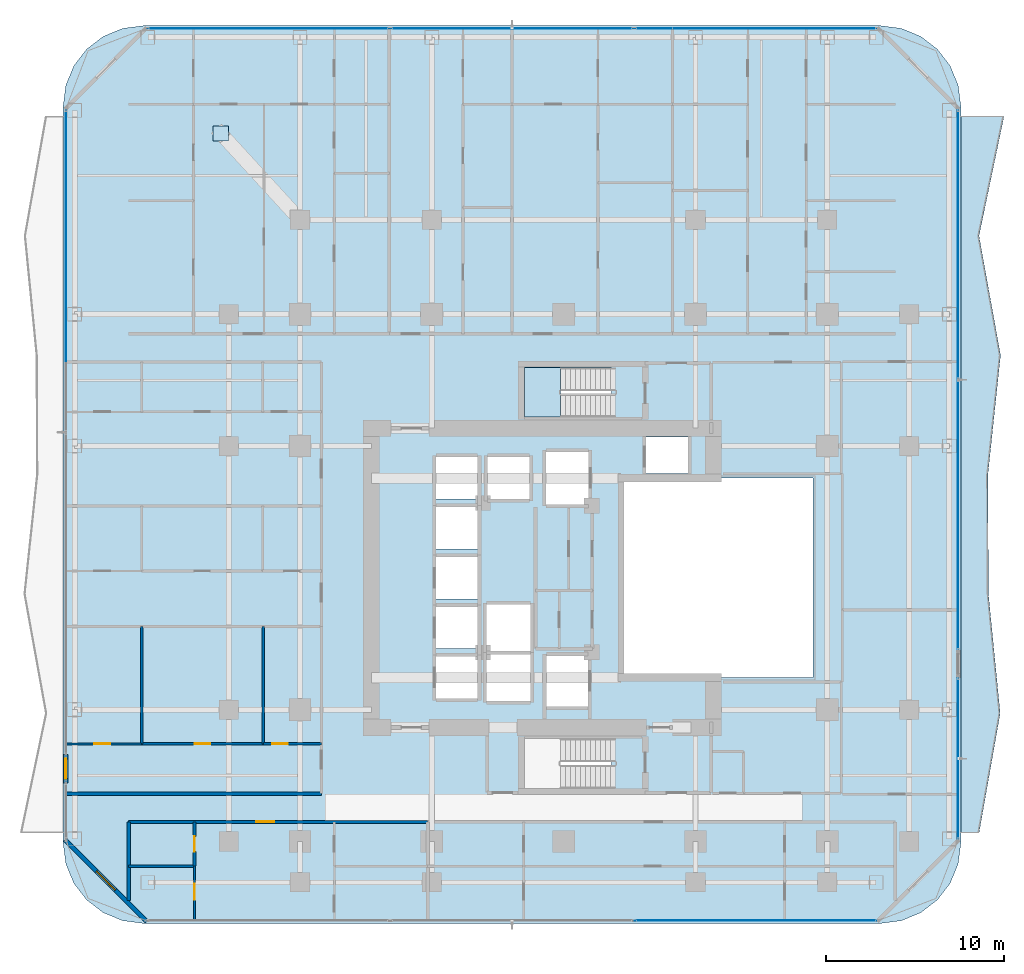
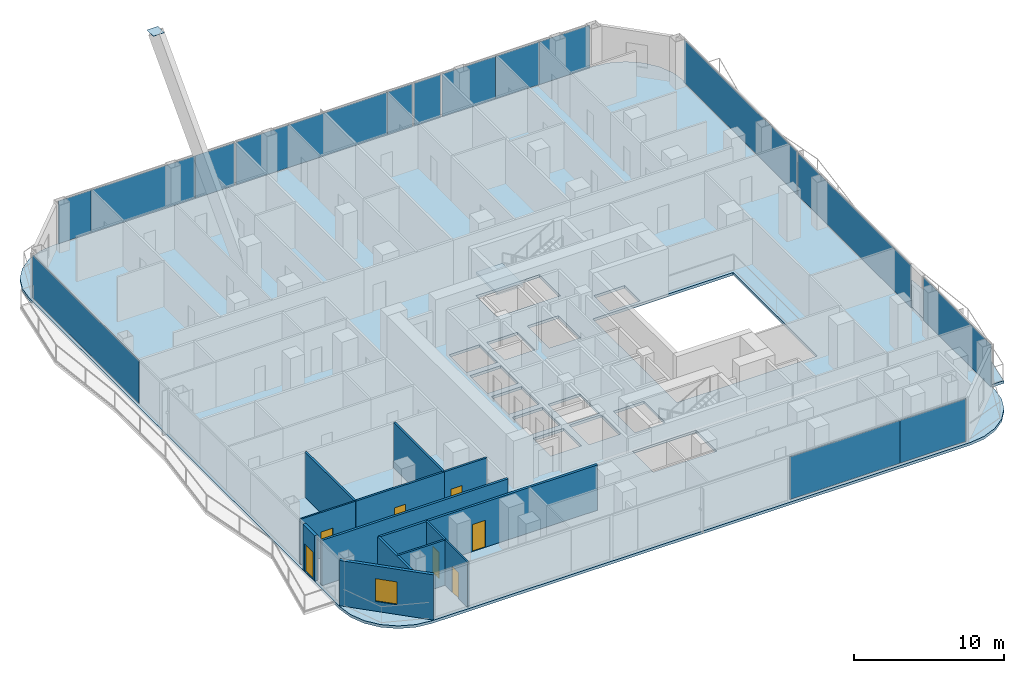
# One storey, part 18 of 28: 16 plates, 13 walls, 7 doors, 3 slabs, 1 window, 8 openings, 6 elements without a shape of their own.
"""IFC4 building model written with IfcOpenShell, lengths in metres."""

from ifc_helpers import new_model, si_unit, direction, frame, frame_2d, origin, origin_2d, place, context, subcontext, project, spatial, polyline, rectangle, outline, extrude, material, layer, layer_set, type_object, element, fill, aggregate, save


model = new_model("IFC4")

# Units and contexts
model_context = context("Model", 3, precision=1e-05, world=origin(), true_north=direction((0.0, 1.0)))
body_context = subcontext(model_context, "Body", "Model", "MODEL_VIEW")
ifc_project = project(units=[si_unit("LENGTHUNIT", "METRE"), si_unit("AREAUNIT", "SQUARE_METRE"), si_unit("VOLUMEUNIT", "CUBIC_METRE"), si_unit("PLANEANGLEUNIT", "RADIAN"), si_unit("MASSUNIT", "GRAM", prefix="KILO")], contexts=[model_context])

# Site, building, storey
site_placement = place(None, origin())
site = spatial("IfcSite", under=ifc_project, at=site_placement, CompositionType="ELEMENT")
building_placement = place(site_placement, origin())
building = spatial("IfcBuilding", under=site, at=building_placement, Name="Khorvyn Point Tower", CompositionType="ELEMENT")
storey_placement = place(building_placement, frame((0.0, 0.0, 89.10009765625)))
storey = spatial("IfcBuildingStorey", under=building, at=storey_placement, Name="L22", CompositionType="ELEMENT", Elevation=89.10009765625)

# Slabs
ifc_material_1 = material(Name="Concrete C35/45", Category="concrete")
ifc_layer_1 = layer(ifc_material_1, 0.219970703125)
ifc_layer_set_1 = layer_set([ifc_layer_1], Name="Concrete C35/45 Structural Floor Slab 220")
slab_type_1 = type_object("IfcSlabType", Name="Concrete C35/45 Structural Floor Slab 220", PredefinedType="FLOOR", material=ifc_layer_set_1)
slab_1_placement = place(storey_placement, frame((0.0, 0.0, -0.22021484375)))
element("IfcSlab", 1, at=slab_1_placement, inside=storey, type_object=slab_type_1, Name="L22 Main Structural Floor Slab", PredefinedType="FLOOR", context=body_context, shape_type="SweptSolid", body=[
    extrude(outline(polyline([(-23.60009765625, -19.39990234375), (-24.7646484375, -19.24658203125), (-25.85009765625, -18.797119140625), (-26.781982421875, -18.08203125), (-27.4970703125, -17.14990234375), (-27.94677734375, -16.064697265625), (-28.10009765625, -14.89990234375), (-28.10009765625, 26.5), (-27.94677734375, 27.664794921875), (-27.4970703125, 28.75), (-26.781982421875, 29.681884765625), (-25.85009765625, 30.397216796875), (-24.7646484375, 30.8466796875), (-23.60009765625, 31.0), (17.800048828125, 31.0), (18.964599609375, 30.8466796875), (20.050048828125, 30.397216796875), (20.98193359375, 29.681884765625), (21.697021484375, 28.75), (22.146728515625, 27.664794921875), (22.300048828125, 26.5), (22.300048828125, -14.89990234375), (22.146728515625, -16.064697265625), (21.697021484375, -17.14990234375), (20.98193359375, -18.08203125), (20.050048828125, -18.797119140625), (18.964599609375, -19.24658203125), (17.800048828125, -19.39990234375), (-23.60009765625, -19.39990234375)]), holes=[polyline([(-4.824951171875, -6.77490234375), (-4.824951171875, -4.425048828125), (-7.175048828125, -4.425048828125), (-7.175048828125, -6.77490234375), (-4.824951171875, -6.77490234375)]), polyline([(-4.324951171875, -6.89990234375), (-1.875, -6.89990234375), (-1.875, -4.300048828125), (-4.324951171875, -4.300048828125), (-4.324951171875, -6.89990234375)]), polyline([(-7.175048828125, -3.97509765625), (-4.824951171875, -3.97509765625), (-4.824951171875, -1.625), (-7.175048828125, -1.625), (-7.175048828125, -3.97509765625)]), polyline([(-7.175048828125, -1.175048828125), (-4.824951171875, -1.175048828125), (-4.824951171875, 1.175048828125), (-7.175048828125, 1.175048828125), (-7.175048828125, -1.175048828125)]), polyline([(-7.175048828125, 1.625), (-4.824951171875, 1.625), (-4.824951171875, 3.97509765625), (-7.175048828125, 3.97509765625), (-7.175048828125, 1.625)]), polyline([(-7.175048828125, 4.425048828125), (-4.824951171875, 4.425048828125), (-4.824951171875, 6.77490234375), (-7.175048828125, 6.77490234375), (-7.175048828125, 4.425048828125)]), polyline([(-4.27490234375, 4.425048828125), (-1.925048828125, 4.425048828125), (-1.925048828125, 6.77490234375), (-4.27490234375, 6.77490234375), (-4.27490234375, 4.425048828125)]), polyline([(2.679931640625, -11.820068359375), (2.679931640625, -9.02001953125), (-2.199951171875, -9.02001953125), (-2.199951171875, -11.820068359375), (2.679931640625, -11.820068359375)]), polyline([(-0.97509765625, -7.22509765625), (1.375, -7.22509765625), (1.375, -4.375), (-0.97509765625, -4.375), (-0.97509765625, -7.22509765625)]), polyline([(-4.324951171875, -4.10009765625), (-1.875, -4.10009765625), (-1.875, -1.5), (-4.324951171875, -1.5), (-4.324951171875, -4.10009765625)]), polyline([(3.199951171875, -5.60009765625), (14.0, -5.60009765625), (14.0, 5.60009765625), (3.199951171875, 5.60009765625), (3.199951171875, -5.60009765625)]), polyline([(-1.0, 4.125), (1.39990234375, 4.125), (1.39990234375, 7.074951171875), (-1.0, 7.074951171875), (-1.0, 4.125)]), polyline([(4.625, 5.85009765625), (6.97509765625, 5.85009765625), (6.97509765625, 7.905029296875), (4.625, 7.905029296875), (4.625, 5.85009765625)]), polyline([(-2.199951171875, 9.02001953125), (2.679931640625, 9.02001953125), (2.679931640625, 11.820068359375), (-2.199951171875, 11.820068359375), (-2.199951171875, 9.02001953125)])]), origin(), (0.0, 0.0, 1.0), 0.22021484375),
])
ifc_material_2 = material(Name="Concrete C40/50", Category="concrete")
ifc_layer_2 = layer(ifc_material_2, 0.2099609375)
ifc_layer_set_2 = layer_set([ifc_layer_2], Name="Concrete C40/50 Rippling Balcony Slab 210")
slab_type_2 = type_object("IfcSlabType", Name="Concrete C40/50 Rippling Balcony Slab 210", PredefinedType="USERDEFINED", material=ifc_layer_set_2)
slab_2_placement = place(storey_placement, frame((0.0, 0.0, -0.210205078125)))
element("IfcSlab", 2, at=slab_2_placement, inside=storey, type_object=slab_type_2, Name="L22 East Sinusoidal Rippling Balcony", ObjectType="BALCONY", PredefinedType="USERDEFINED", context=body_context, shape_type="SweptSolid", body=[
    extrude(outline(polyline([(22.300048828125, -14.300048828125), (23.327880859375, -14.300048828125), (24.509521484375, -7.60009765625), (23.848388671875, -0.89990234375), (23.82080078125, 5.800048828125), (24.5302734375, 12.5), (23.319580078125, 19.199951171875), (24.722412109375, 25.89990234375), (22.300048828125, 25.89990234375), (22.300048828125, -14.300048828125)])), origin(), (0.0, 0.0, 1.0), 0.210205078125),
])

# Stair, slab
stair_type = type_object("IfcStairType", Name="Tower Concrete C40/50 Dogleg Exit Stair", PredefinedType="HALF_TURN_STAIR", material=ifc_material_2)
stair_placement = place(storey_placement, origin())
stair = element("IfcStair", 3, at=stair_placement, inside=storey, type_object=stair_type, Name="L22 Tower Smokeproof Exit Stair North", PredefinedType="HALF_TURN_STAIR")
ifc_layer_3 = layer(ifc_material_2, 0.199951171875)
ifc_layer_set_3 = layer_set([ifc_layer_3], Name="Concrete C40/50 Stair Landing Slab 200")
slab_type_3 = type_object("IfcSlabType", Name="Concrete C40/50 Stair Landing Slab 200", PredefinedType="LANDING", material=ifc_layer_set_3)
slab_3_placement = place(storey_placement, frame((0.0, 0.0, 1.75)))
slab_3 = element("IfcSlab", 4, at=slab_3_placement, type_object=slab_type_3, Name="ST-02 landing 1", PredefinedType="LANDING", context=body_context, shape_type="SweptSolid", body=[
    extrude(outline(polyline([(-0.179931640625, 11.820068359375), (-2.199951171875, 11.820068359375), (-2.199951171875, 9.02001953125), (-0.179931640625, 9.02001953125), (-0.179931640625, 11.820068359375)])), origin(), (0.0, 0.0, 1.0), 0.199951171875),
])
aggregate(stair, [slab_3])

# Plate
ifc_material_3 = material(Name="Steel S450", Category="steel")
ifc_layer_4 = layer(ifc_material_3, 0.031982421875)
ifc_layer_set_4 = layer_set([ifc_layer_4], Name="Steel S450 Exoskeleton End Cap Plate 32")
plate_type_1 = type_object("IfcPlateType", Name="Steel S450 Exoskeleton End Cap Plate 32", PredefinedType="USERDEFINED", material=ifc_layer_set_4)
plate_1_placement = place(storey_placement, frame((-19.252197265625, 24.952392578125, 19.49365234375), z_axis=(0.0, 0.0, 1.0), x_axis=(1.0, 0.0, 0.0)))
element("IfcPlate", 5, at=plate_1_placement, inside=storey, type_object=plate_type_1, Name="Plate", ObjectType="GUSSET", PredefinedType="USERDEFINED", context=body_context, shape_type="SweptSolid", body=[
    extrude(rectangle(XDim=0.860107421875, YDim=0.860107421875, at=origin_2d()), origin(), (0.0, 0.0, 1.0), 0.031982421875),
])

# Curtain wall, plates
ifc_material_4 = material(Name="Anodised aluminium 6063-T6 and laminated Low-E glass", Category="aluminium")
ifc_layer_5 = layer(ifc_material_4, 0.18994140625)
ifc_layer_set_5 = layer_set([ifc_layer_5], Name="Stick-Built Finned Residential Curtain Wall CW-SYS-02")
curtain_wall_type = type_object("IfcCurtainWallType", Name="Stick-Built Finned Residential Curtain Wall CW-SYS-02", PredefinedType="NOTDEFINED", material=ifc_layer_set_5)
curtain_wall_1_placement = place(storey_placement, origin())
curtain_wall_1 = element("IfcCurtainWall", 6, at=curtain_wall_1_placement, inside=storey, type_object=curtain_wall_type, Name="Curtain Wall", PredefinedType="NOTDEFINED")
ifc_material_5 = material(Name="Laminated Low-E insulated glass", Category="glass")
ifc_layer_6 = layer(ifc_material_5, 0.028076171875)
ifc_layer_set_6 = layer_set([ifc_layer_6], Name="Tempered Low-E Vision Glazing Panel CW-GL28")
plate_type_2 = type_object("IfcPlateType", Name="Tempered Low-E Vision Glazing Panel CW-GL28", PredefinedType="CURTAIN_PANEL", material=ifc_layer_set_6)
plate_2_placement = place(storey_placement, frame((8.237060546875, -19.25, 0.099853515625), z_axis=(0.0, 0.0, 1.0), x_axis=(-1.0, 0.0, 0.0)))
plate_2 = element("IfcPlate", 7, at=plate_2_placement, type_object=plate_type_2, Name="Panel", PredefinedType="CURTAIN_PANEL", context=body_context, shape_type="SweptSolid", body=[
    extrude(rectangle(XDim=8.466064453125, YDim=0.028076171875, at=origin_2d()), origin(), (0.0, 0.0, 1.0), 3.47998046875),
])
plate_3_placement = place(storey_placement, frame((15.011962890625, -19.25, 0.099853515625), z_axis=(0.0, 0.0, 1.0), x_axis=(-1.0, 0.0, 0.0)))
plate_3 = element("IfcPlate", 8, at=plate_3_placement, type_object=plate_type_2, Name="Panel", PredefinedType="CURTAIN_PANEL", context=body_context, shape_type="SweptSolid", body=[
    extrude(rectangle(XDim=5.068115234375, YDim=0.028076171875, at=origin_2d()), origin(), (0.0, 0.0, 1.0), 3.47998046875),
])
aggregate(curtain_wall_1, [plate_2, plate_3])

curtain_wall_2_placement = place(storey_placement, origin())
curtain_wall_2 = element("IfcCurtainWall", 9, at=curtain_wall_2_placement, inside=storey, type_object=curtain_wall_type, Name="Curtain Wall", PredefinedType="NOTDEFINED")
plate_4_placement = place(storey_placement, frame((-22.094482421875, 30.85009765625, 0.099853515625), z_axis=(0.0, 0.0, 1.0), x_axis=(1.0, 0.0, 0.0)))
plate_4 = element("IfcPlate", 10, at=plate_4_placement, type_object=plate_type_2, Name="Panel", PredefinedType="CURTAIN_PANEL", context=body_context, shape_type="SweptSolid", body=[
    extrude(rectangle(XDim=2.5029296875, YDim=0.028076171875, at=origin_2d()), origin(), (0.0, 0.0, 1.0), 3.47998046875),
])
plate_5_placement = place(storey_placement, frame((-16.825927734375, 30.85009765625, 0.099853515625), z_axis=(0.0, 0.0, 1.0), x_axis=(1.0, 0.0, 0.0)))
plate_5 = element("IfcPlate", 11, at=plate_5_placement, type_object=plate_type_2, Name="Panel", PredefinedType="CURTAIN_PANEL", context=body_context, shape_type="SweptSolid", body=[
    extrude(rectangle(XDim=8.01806640625, YDim=0.028076171875, at=origin_2d()), origin(), (0.0, 0.0, 1.0), 3.47998046875),
])
plate_6_placement = place(storey_placement, frame((-11.306396484375, 30.85009765625, 0.099853515625), z_axis=(0.0, 0.0, 1.0), x_axis=(1.0, 0.0, 0.0)))
plate_6 = element("IfcPlate", 12, at=plate_6_placement, type_object=plate_type_2, Name="Panel", PredefinedType="CURTAIN_PANEL", context=body_context, shape_type="SweptSolid", body=[
    extrude(rectangle(XDim=3.0048828125, YDim=0.028076171875, at=origin_2d()), origin(), (0.0, 0.0, 1.0), 3.47998046875),
])
plate_7_placement = place(storey_placement, frame((-3.85595703125, 30.85009765625, 0.099853515625), z_axis=(0.0, 0.0, 1.0), x_axis=(1.0, 0.0, 0.0)))
plate_7 = element("IfcPlate", 13, at=plate_7_placement, type_object=plate_type_2, Name="Panel", PredefinedType="CURTAIN_PANEL", context=body_context, shape_type="SweptSolid", body=[
    extrude(rectangle(XDim=11.679931640625, YDim=0.028076171875, at=origin_2d()), origin(), (0.0, 0.0, 1.0), 3.47998046875),
])
plate_8_placement = place(storey_placement, frame((2.944091796875, 30.85009765625, 0.099853515625), z_axis=(0.0, 0.0, 1.0), x_axis=(1.0, 0.0, 0.0)))
plate_8 = element("IfcPlate", 14, at=plate_8_placement, type_object=plate_type_2, Name="Panel", PredefinedType="CURTAIN_PANEL", context=body_context, shape_type="SweptSolid", body=[
    extrude(rectangle(XDim=1.904052734375, YDim=0.028076171875, at=origin_2d()), origin(), (0.0, 0.0, 1.0), 3.47998046875),
])
plate_9_placement = place(storey_placement, frame((5.028564453125, 30.85009765625, 0.099853515625), z_axis=(0.0, 0.0, 1.0), x_axis=(1.0, 0.0, 0.0)))
plate_9 = element("IfcPlate", 15, at=plate_9_placement, type_object=plate_type_2, Name="Panel", PredefinedType="CURTAIN_PANEL", context=body_context, shape_type="SweptSolid", body=[
    extrude(rectangle(XDim=2.049072265625, YDim=0.028076171875, at=origin_2d()), origin(), (0.0, 0.0, 1.0), 3.47998046875),
])
plate_10_placement = place(storey_placement, frame((8.22998046875, 30.85009765625, 0.099853515625), z_axis=(0.0, 0.0, 1.0), x_axis=(1.0, 0.0, 0.0)))
plate_10 = element("IfcPlate", 16, at=plate_10_placement, type_object=plate_type_2, Name="Panel", PredefinedType="CURTAIN_PANEL", context=body_context, shape_type="SweptSolid", body=[
    extrude(rectangle(XDim=4.097900390625, YDim=0.028076171875, at=origin_2d()), origin(), (0.0, 0.0, 1.0), 3.47998046875),
])
plate_11_placement = place(storey_placement, frame((11.98095703125, 30.85009765625, 0.099853515625), z_axis=(0.0, 0.0, 1.0), x_axis=(1.0, 0.0, 0.0)))
plate_11 = element("IfcPlate", 17, at=plate_11_placement, type_object=plate_type_2, Name="Panel", PredefinedType="CURTAIN_PANEL", context=body_context, shape_type="SweptSolid", body=[
    extrude(rectangle(XDim=3.387939453125, YDim=0.028076171875, at=origin_2d()), origin(), (0.0, 0.0, 1.0), 3.47998046875),
])
plate_12_placement = place(storey_placement, frame((15.614501953125, 30.85009765625, 0.099853515625), z_axis=(0.0, 0.0, 1.0), x_axis=(1.0, 0.0, 0.0)))
plate_12 = element("IfcPlate", 18, at=plate_12_placement, type_object=plate_type_2, Name="Panel", PredefinedType="CURTAIN_PANEL", context=body_context, shape_type="SweptSolid", body=[
    extrude(rectangle(XDim=3.863037109375, YDim=0.028076171875, at=origin_2d()), origin(), (0.0, 0.0, 1.0), 3.47998046875),
])
aggregate(curtain_wall_2, [plate_4, plate_5, plate_6, plate_7, plate_8, plate_9, plate_10, plate_11, plate_12])

# Curtain wall, plate
curtain_wall_3_placement = place(storey_placement, origin())
curtain_wall_3 = element("IfcCurtainWall", 19, at=curtain_wall_3_placement, inside=storey, type_object=curtain_wall_type, Name="Curtain Wall", PredefinedType="NOTDEFINED")
plate_13_placement = place(storey_placement, frame((-27.949951171875, 19.155029296875, 0.099853515625), z_axis=(0.0, 0.0, 1.0), x_axis=(0.0, 1.0, 0.0)))
plate_13 = element("IfcPlate", 20, at=plate_13_placement, type_object=plate_type_2, Name="Panel", PredefinedType="CURTAIN_PANEL", context=body_context, shape_type="SweptSolid", body=[
    extrude(rectangle(XDim=14.181884765625, YDim=0.028076171875, at=origin_2d()), origin(), (0.0, 0.0, 1.0), 3.47998046875),
])
aggregate(curtain_wall_3, [plate_13])

# Curtain wall, plates
curtain_wall_4_placement = place(storey_placement, origin())
curtain_wall_4 = element("IfcCurtainWall", 21, at=curtain_wall_4_placement, inside=storey, type_object=curtain_wall_type, Name="Curtain Wall", PredefinedType="NOTDEFINED")
plate_14_placement = place(storey_placement, frame((22.14990234375, 18.7099609375, 0.099853515625), z_axis=(0.0, 0.0, 1.0), x_axis=(0.0, -1.0, 0.0)))
plate_14 = element("IfcPlate", 22, at=plate_14_placement, type_object=plate_type_2, Name="Panel", PredefinedType="CURTAIN_PANEL", context=body_context, shape_type="SweptSolid", body=[
    extrude(rectangle(XDim=15.080078125, YDim=0.028076171875, at=origin_2d()), origin(), (0.0, 0.0, 1.0), 3.47998046875),
])
plate_15_placement = place(storey_placement, frame((22.14990234375, 3.530029296875, 0.099853515625), z_axis=(0.0, 0.0, 1.0), x_axis=(0.0, -1.0, 0.0)))
plate_15 = element("IfcPlate", 23, at=plate_15_placement, type_object=plate_type_2, Name="Panel", PredefinedType="CURTAIN_PANEL", context=body_context, shape_type="SweptSolid", body=[
    extrude(rectangle(XDim=15.080078125, YDim=0.028076171875, at=origin_2d()), origin(), (0.0, 0.0, 1.0), 3.47998046875),
])
aggregate(curtain_wall_4, [plate_14, plate_15])

# Curtain wall, plate
curtain_wall_5_placement = place(storey_placement, origin())
curtain_wall_5 = element("IfcCurtainWall", 24, at=curtain_wall_5_placement, inside=storey, type_object=curtain_wall_type, Name="Curtain Wall", PredefinedType="NOTDEFINED")
plate_16_placement = place(storey_placement, frame((22.14990234375, -10.14990234375, 0.099853515625), z_axis=(0.0, 0.0, 1.0), x_axis=(0.0, -1.0, 0.0)))
plate_16 = element("IfcPlate", 25, at=plate_16_placement, type_object=plate_type_2, Name="Panel", PredefinedType="CURTAIN_PANEL", context=body_context, shape_type="SweptSolid", body=[
    extrude(rectangle(XDim=9.0, YDim=0.028076171875, at=origin_2d()), origin(), (0.0, 0.0, 1.0), 3.47998046875),
])
aggregate(curtain_wall_5, [plate_16])

# Wall, opening, door
ifc_material_6 = material(Name="Double acoustic gypsum on twin steel stud", Category="steel")
ifc_layer_7 = layer(ifc_material_6, 0.179931640625)
ifc_layer_set_7 = layer_set([ifc_layer_7], Name="Acoustic Double-Stud Apartment Demising Wall 180")
wall_type_1 = type_object("IfcWallType", Name="Acoustic Double-Stud Apartment Demising Wall 180", PredefinedType="PARTITIONING", material=ifc_layer_set_7)
wall_1_placement = place(storey_placement, frame((-24.419921875, -13.699951171875, 0.0), z_axis=(0.0, 0.0, 1.0), x_axis=(1.0, 0.0, 0.0)))
wall_1 = element("IfcWall", 26, at=wall_1_placement, inside=storey, type_object=wall_type_1, Name="Wall", PredefinedType="PARTITIONING", context=body_context, shape_type="SweptSolid", body=[
    extrude(rectangle(XDim=16.785888671875, YDim=0.179931640625, at=frame_2d((8.39306640625, 0.0))), origin(), (0.0, 0.0, 1.0), 3.679931640625),
])
opening_1_placement = place(wall_1_placement, frame((7.173583984375, 0.0, 0.0)))
opening_1 = element("IfcOpeningElement", 27, at=opening_1_placement, cuts=wall_1, Name="Opening ID-AP60", PredefinedType="OPENING", context=body_context, shape_type="SweptSolid", body=[
    extrude(rectangle(XDim=1.0, YDim=2.199951171875, at=frame_2d((0.5, 1.10009765625))), frame((0.0, 0.099853515625, 0.0), z_axis=(0.0, -1.0, 0.0), x_axis=(1.0, 0.0, 0.0)), (0.0, 0.0, 1.0), 0.199951171875),
])
ifc_material_7 = material(Name="Engineered hardwood fire-rated leaf", Category="wood")
door_type_1 = type_object("IfcDoorType", Name="Acoustic Solid-Core Timber Apartment Entrance Door 1000x2200", OperationType="NOTDEFINED", PredefinedType="DOOR", material=ifc_material_7)
door_1_placement = place(opening_1_placement, origin())
door_1 = element("IfcDoor", 28, at=door_1_placement, inside=storey, type_object=door_type_1, Name="Door", OperationType="SINGLE_SWING_LEFT", OverallHeight=2.199951171875, OverallWidth=1.0, PredefinedType="DOOR", context=body_context, shape_type="SweptSolid", body=[
    extrude(rectangle(XDim=1.0, YDim=2.199951171875, at=frame_2d((0.5, 1.10009765625))), frame((0.0, 0.02490234375, 0.0), z_axis=(0.0, -1.0, 0.0), x_axis=(1.0, 0.0, 0.0)), (0.0, 0.0, 1.0), 0.050048828125),
])
fill(opening_1, door_1)

# Walls
wall_2_placement = place(storey_placement, frame((-24.419921875, -18.110107421875, 0.0), z_axis=(0.0, 0.0, 1.0), x_axis=(0.0, 1.0, 0.0)))
element("IfcWall", 29, at=wall_2_placement, inside=storey, type_object=wall_type_1, Name="Wall", PredefinedType="PARTITIONING", context=body_context, shape_type="SweptSolid", body=[
    extrude(rectangle(XDim=4.41015625, YDim=0.179931640625, at=frame_2d((2.205078125, 0.0))), origin(), (0.0, 0.0, 1.0), 3.679931640625),
])
wall_3_placement = place(storey_placement, frame((-27.929931640625, -12.1201171875, 0.0), z_axis=(0.0, 0.0, 1.0), x_axis=(1.0, 0.0, 0.0)))
element("IfcWall", 30, at=wall_3_placement, inside=storey, type_object=wall_type_1, Name="Wall", PredefinedType="PARTITIONING", context=body_context, shape_type="SweptSolid", body=[
    extrude(rectangle(XDim=14.329833984375, YDim=0.179931640625, at=frame_2d((7.1650390625, 0.0))), origin(), (0.0, 0.0, 1.0), 3.679931640625),
])

# Wall, opening, door
ifc_material_8 = material(Name="Pale anodised aluminium rainscreen on steel stud", Category="steel")
ifc_layer_8 = layer(ifc_material_8, 0.239990234375)
ifc_layer_set_8 = layer_set([ifc_layer_8], Name="Anodised Aluminium Insulated Corner Spandrel Wall 240")
wall_type_2 = type_object("IfcWallType", Name="Anodised Aluminium Insulated Corner Spandrel Wall 240", PredefinedType="SOLIDWALL", material=ifc_layer_set_8)
wall_4_placement = place(storey_placement, frame((-27.949951171875, -11.510009765625, 0.0), z_axis=(0.0, 0.0, 1.0), x_axis=(0.0, 1.0, 0.0)))
wall_4 = element("IfcWall", 31, at=wall_4_placement, inside=storey, type_object=wall_type_2, Name="L22 West Outdoor Threshold Wall", PredefinedType="SOLIDWALL", context=body_context, shape_type="SweptSolid", body=[
    extrude(rectangle(XDim=1.580078125, YDim=0.239990234375, at=frame_2d((0.7900390625, 0.0))), origin(), (0.0, 0.0, 1.0), 3.679931640625),
])
opening_2_placement = place(wall_4_placement, frame((0.239990234375, 0.0, 0.0)))
opening_2 = element("IfcOpeningElement", 32, at=opening_2_placement, cuts=wall_4, Name="Opening BD-1122", PredefinedType="OPENING", context=body_context, shape_type="SweptSolid", body=[
    extrude(rectangle(XDim=1.10009765625, YDim=2.199951171875, at=frame_2d((0.550048828125, 1.10009765625))), frame((0.0, 0.1298828125, 0.0), z_axis=(0.0, -1.0, 0.0), x_axis=(1.0, 0.0, 0.0)), (0.0, 0.0, 1.0), 0.260009765625),
])
door_type_2 = type_object("IfcDoorType", Name="Glazed Balcony and Terrace Threshold Door 1100x2200", OperationType="NOTDEFINED", PredefinedType="DOOR", material=ifc_material_4)
door_2_placement = place(opening_2_placement, origin())
door_2 = element("IfcDoor", 33, at=door_2_placement, inside=storey, type_object=door_type_2, Name="L22 West Glazed Balcony Outdoor Door", OperationType="SINGLE_SWING_LEFT", OverallHeight=2.199951171875, OverallWidth=1.10009765625, PredefinedType="DOOR", context=body_context, shape_type="SweptSolid", body=[
    extrude(rectangle(XDim=1.10009765625, YDim=2.199951171875, at=frame_2d((0.550048828125, 1.10009765625))), frame((0.0, 0.02490234375, 0.0), z_axis=(0.0, -1.0, 0.0), x_axis=(1.0, 0.0, 0.0)), (0.0, 0.0, 1.0), 0.050048828125),
])
fill(opening_2, door_2)

# Wall, opening, window
wall_5_placement = place(storey_placement, frame((-23.40771484375, -19.29248046875, 0.0), z_axis=(0.0, 0.0, 1.0), x_axis=(-0.707087954376, 0.707125607496, 0.0)))
wall_5 = element("IfcWall", 34, at=wall_5_placement, inside=storey, type_object=wall_type_2, Name="L22 Rounded Corner Wall SW", PredefinedType="SOLIDWALL", context=body_context, shape_type="SweptSolid", body=[
    extrude(rectangle(XDim=6.48388671875, YDim=0.239990234375, at=frame_2d((3.241943359375, 0.0))), origin(), (0.0, 0.0, 1.0), 3.679931640625),
])
opening_3_placement = place(wall_5_placement, frame((2.491943359375, 0.0, 0.800048828125)))
opening_3 = element("IfcOpeningElement", 35, at=opening_3_placement, cuts=wall_5, Name="Opening WN-1518", PredefinedType="OPENING", context=body_context, shape_type="SweptSolid", body=[
    extrude(rectangle(XDim=1.5, YDim=1.85009765625, at=frame_2d((0.75, 0.925048828125))), frame((0.0, 0.1298828125, 0.0), z_axis=(0.0, -1.0, 0.0), x_axis=(1.0, 0.0, 0.0)), (0.0, 0.0, 1.0), 0.260009765625),
])
window_type = type_object("IfcWindowType", Name="Anodised Aluminium Rounded-Corner Panoramic Window 1500x1850", PartitioningType="SINGLE_PANEL", PredefinedType="WINDOW", material=ifc_material_4)
window_placement = place(opening_3_placement, origin())
window = element("IfcWindow", 36, at=window_placement, inside=storey, type_object=window_type, Name="L22 Corner Panoramic Window SW", OverallHeight=1.85009765625, OverallWidth=1.5, PartitioningType="SINGLE_PANEL", PredefinedType="WINDOW", context=body_context, shape_type="SweptSolid", body=[
    extrude(rectangle(XDim=1.5, YDim=1.85009765625, at=frame_2d((0.75, 0.925048828125))), frame((0.0, 0.030029296875, 0.0), z_axis=(0.0, -1.0, 0.0), x_axis=(1.0, 0.0, 0.0)), (0.0, 0.0, 1.0), 0.06005859375),
])
fill(opening_3, window)

# Wall, opening, door
ifc_material_9 = material(Name="Gypsum plasterboard on steel stud", Category="steel")
ifc_layer_9 = layer(ifc_material_9, 0.1201171875)
ifc_layer_set_9 = layer_set([ifc_layer_9], Name="Gypsum Acoustic Stud Room Partition Wall 120")
wall_type_3 = type_object("IfcWallType", Name="Gypsum Acoustic Stud Room Partition Wall 120", PredefinedType="PARTITIONING", material=ifc_layer_set_9)
wall_6_placement = place(storey_placement, frame((-20.72607421875, -19.22998046875, 0.0), z_axis=(0.0, 0.0, 1.0), x_axis=(0.0, 1.0, 0.0)))
wall_6 = element("IfcWall", 37, at=wall_6_placement, inside=storey, type_object=wall_type_3, Name="Wall", PredefinedType="PARTITIONING", context=body_context, shape_type="SweptSolid", body=[
    extrude(rectangle(XDim=3.0400390625, YDim=0.1201171875, at=frame_2d((1.52001953125, 0.0))), origin(), (0.0, 0.0, 1.0), 3.679931640625),
])
opening_4_placement = place(wall_6_placement, frame((1.152587890625, 0.0, 0.0)))
opening_4 = element("IfcOpeningElement", 38, at=opening_4_placement, cuts=wall_6, Name="Opening ID-RM90", PredefinedType="OPENING", context=body_context, shape_type="SweptSolid", body=[
    extrude(rectangle(XDim=0.89990234375, YDim=2.10009765625, at=frame_2d((0.449951171875, 1.050048828125))), frame((0.0, 0.070068359375, 0.0), z_axis=(0.0, -1.0, 0.0), x_axis=(1.0, 0.0, 0.0)), (0.0, 0.0, 1.0), 0.14013671875),
])
ifc_material_10 = material(Name="Engineered oak veneer timber", Category="wood")
door_type_3 = type_object("IfcDoorType", Name="Flush Engineered Timber Room Door 900x2100", OperationType="NOTDEFINED", PredefinedType="DOOR", material=ifc_material_10)
door_3_placement = place(opening_4_placement, origin())
door_3 = element("IfcDoor", 39, at=door_3_placement, inside=storey, type_object=door_type_3, Name="Door", OperationType="SINGLE_SWING_LEFT", OverallHeight=2.10009765625, OverallWidth=0.89990234375, PredefinedType="DOOR", context=body_context, shape_type="SweptSolid", body=[
    extrude(rectangle(XDim=0.89990234375, YDim=2.10009765625, at=frame_2d((0.449951171875, 1.050048828125))), frame((0.0, 0.02490234375, 0.0), z_axis=(0.0, -1.0, 0.0), x_axis=(1.0, 0.0, 0.0)), (0.0, 0.0, 1.0), 0.050048828125),
])
fill(opening_4, door_3)

wall_7_placement = place(storey_placement, frame((-27.929931640625, -9.320068359375, 0.0), z_axis=(0.0, 0.0, 1.0), x_axis=(1.0, 0.0, 0.0)))
wall_7 = element("IfcWall", 40, at=wall_7_placement, inside=storey, type_object=wall_type_3, Name="Wall", PredefinedType="PARTITIONING", context=body_context, shape_type="SweptSolid", body=[
    extrude(rectangle(XDim=4.239990234375, YDim=0.1201171875, at=frame_2d((2.1201171875, 0.0))), origin(), (0.0, 0.0, 1.0), 3.679931640625),
])
opening_5_placement = place(wall_7_placement, frame((1.581298828125, 0.0, 0.0)))
opening_5 = element("IfcOpeningElement", 41, at=opening_5_placement, cuts=wall_7, Name="Opening ID-RM90", PredefinedType="OPENING", context=body_context, shape_type="SweptSolid", body=[
    extrude(rectangle(XDim=0.89990234375, YDim=2.10009765625, at=frame_2d((0.449951171875, 1.050048828125))), frame((0.0, 0.070068359375, 0.0), z_axis=(0.0, -1.0, 0.0), x_axis=(1.0, 0.0, 0.0)), (0.0, 0.0, 1.0), 0.14013671875),
])
door_4_placement = place(opening_5_placement, origin())
door_4 = element("IfcDoor", 42, at=door_4_placement, inside=storey, type_object=door_type_3, Name="Door", OperationType="SINGLE_SWING_LEFT", OverallHeight=2.10009765625, OverallWidth=0.89990234375, PredefinedType="DOOR", context=body_context, shape_type="SweptSolid", body=[
    extrude(rectangle(XDim=0.89990234375, YDim=2.10009765625, at=frame_2d((0.449951171875, 1.050048828125))), frame((0.0, 0.02490234375, 0.0), z_axis=(0.0, -1.0, 0.0), x_axis=(1.0, 0.0, 0.0)), (0.0, 0.0, 1.0), 0.050048828125),
])
fill(opening_5, door_4)

ifc_material_11 = material(Name="Moisture-resistant gypsum and cement board", Category="gypsum")
ifc_layer_10 = layer(ifc_material_11, 0.14990234375)
ifc_layer_set_10 = layer_set([ifc_layer_10], Name="Moisture-Resistant Wet-Room Partition Wall 150")
wall_type_4 = type_object("IfcWallType", Name="Moisture-Resistant Wet-Room Partition Wall 150", PredefinedType="PARTITIONING", material=ifc_layer_set_10)
wall_8_placement = place(storey_placement, frame((-20.72607421875, -16.18994140625, 0.0), z_axis=(0.0, 0.0, 1.0), x_axis=(0.0, 1.0, 0.0)))
wall_8 = element("IfcWall", 43, at=wall_8_placement, inside=storey, type_object=wall_type_4, Name="Wall", PredefinedType="PARTITIONING", context=body_context, shape_type="SweptSolid", body=[
    extrude(rectangle(XDim=2.489990234375, YDim=0.14990234375, at=frame_2d((1.2451171875, 0.0))), origin(), (0.0, 0.0, 1.0), 3.679931640625),
])
opening_6_placement = place(wall_8_placement, frame((0.820068359375, 0.0, 0.0)))
opening_6 = element("IfcOpeningElement", 44, at=opening_6_placement, cuts=wall_8, Name="Opening ID-WC85", PredefinedType="OPENING", context=body_context, shape_type="SweptSolid", body=[
    extrude(rectangle(XDim=0.85009765625, YDim=2.10009765625, at=frame_2d((0.425048828125, 1.050048828125))), frame((0.0, 0.0849609375, 0.0), z_axis=(0.0, -1.0, 0.0), x_axis=(1.0, 0.0, 0.0)), (0.0, 0.0, 1.0), 0.169921875),
])
ifc_material_12 = material(Name="High-pressure laminate on moisture-resistant core", Category="wood")
door_type_4 = type_object("IfcDoorType", Name="Moisture-Resistant Accessible Washroom Door 850x2100", OperationType="NOTDEFINED", PredefinedType="DOOR", material=ifc_material_12)
door_5_placement = place(opening_6_placement, origin())
door_5 = element("IfcDoor", 45, at=door_5_placement, inside=storey, type_object=door_type_4, Name="Door", OperationType="SINGLE_SWING_RIGHT", OverallHeight=2.10009765625, OverallWidth=0.85009765625, PredefinedType="DOOR", context=body_context, shape_type="SweptSolid", body=[
    extrude(rectangle(XDim=0.85009765625, YDim=2.10009765625, at=frame_2d((0.425048828125, 1.050048828125))), frame((0.0, 0.02490234375, 0.0), z_axis=(0.0, -1.0, 0.0), x_axis=(1.0, 0.0, 0.0)), (0.0, 0.0, 1.0), 0.050048828125),
])
fill(opening_6, door_5)

wall_9_placement = place(storey_placement, frame((-23.68994140625, -9.320068359375, 0.0), z_axis=(0.0, 0.0, 1.0), x_axis=(1.0, 0.0, 0.0)))
wall_9 = element("IfcWall", 46, at=wall_9_placement, inside=storey, type_object=wall_type_4, Name="Wall", PredefinedType="PARTITIONING", context=body_context, shape_type="SweptSolid", body=[
    extrude(rectangle(XDim=6.826904296875, YDim=0.14990234375, at=frame_2d((3.41357421875, 0.0))), origin(), (0.0, 0.0, 1.0), 3.679931640625),
])
opening_7_placement = place(wall_9_placement, frame((2.988525390625, 0.0, 0.0)))
opening_7 = element("IfcOpeningElement", 47, at=opening_7_placement, cuts=wall_9, Name="Opening ID-WC85", PredefinedType="OPENING", context=body_context, shape_type="SweptSolid", body=[
    extrude(rectangle(XDim=0.85009765625, YDim=2.10009765625, at=frame_2d((0.425048828125, 1.050048828125))), frame((0.0, 0.0849609375, 0.0), z_axis=(0.0, -1.0, 0.0), x_axis=(1.0, 0.0, 0.0)), (0.0, 0.0, 1.0), 0.169921875),
])
door_6_placement = place(opening_7_placement, origin())
door_6 = element("IfcDoor", 48, at=door_6_placement, inside=storey, type_object=door_type_4, Name="Door", OperationType="SINGLE_SWING_LEFT", OverallHeight=2.10009765625, OverallWidth=0.85009765625, PredefinedType="DOOR", context=body_context, shape_type="SweptSolid", body=[
    extrude(rectangle(XDim=0.85009765625, YDim=2.10009765625, at=frame_2d((0.425048828125, 1.050048828125))), frame((0.0, 0.02490234375, 0.0), z_axis=(0.0, -1.0, 0.0), x_axis=(1.0, 0.0, 0.0)), (0.0, 0.0, 1.0), 0.050048828125),
])
fill(opening_7, door_6)

wall_10_placement = place(storey_placement, frame((-16.863037109375, -9.320068359375, 0.0), z_axis=(0.0, 0.0, 1.0), x_axis=(1.0, 0.0, 0.0)))
wall_10 = element("IfcWall", 49, at=wall_10_placement, inside=storey, type_object=wall_type_4, Name="Wall", PredefinedType="PARTITIONING", context=body_context, shape_type="SweptSolid", body=[
    extrude(rectangle(XDim=3.262939453125, YDim=0.14990234375, at=frame_2d((1.63134765625, 0.0))), origin(), (0.0, 0.0, 1.0), 3.679931640625),
])
opening_8_placement = place(wall_10_placement, frame((0.5087890625, 0.0, 0.0)))
opening_8 = element("IfcOpeningElement", 50, at=opening_8_placement, cuts=wall_10, Name="Opening ID-WC85", PredefinedType="OPENING", context=body_context, shape_type="SweptSolid", body=[
    extrude(rectangle(XDim=0.85009765625, YDim=2.10009765625, at=frame_2d((0.425048828125, 1.050048828125))), frame((0.0, 0.0849609375, 0.0), z_axis=(0.0, -1.0, 0.0), x_axis=(1.0, 0.0, 0.0)), (0.0, 0.0, 1.0), 0.169921875),
])
door_7_placement = place(opening_8_placement, origin())
door_7 = element("IfcDoor", 51, at=door_7_placement, inside=storey, type_object=door_type_4, Name="Door", OperationType="SINGLE_SWING_RIGHT", OverallHeight=2.10009765625, OverallWidth=0.85009765625, PredefinedType="DOOR", context=body_context, shape_type="SweptSolid", body=[
    extrude(rectangle(XDim=0.85009765625, YDim=2.10009765625, at=frame_2d((0.425048828125, 1.050048828125))), frame((0.0, 0.02490234375, 0.0), z_axis=(0.0, -1.0, 0.0), x_axis=(1.0, 0.0, 0.0)), (0.0, 0.0, 1.0), 0.050048828125),
])
fill(opening_8, door_7)

# Walls
wall_11_placement = place(storey_placement, frame((-24.419921875, -16.18994140625, 0.0), z_axis=(0.0, 0.0, 1.0), x_axis=(1.0, 0.0, 0.0)))
element("IfcWall", 52, at=wall_11_placement, inside=storey, type_object=wall_type_4, Name="Wall", PredefinedType="PARTITIONING", context=body_context, shape_type="SweptSolid", body=[
    extrude(rectangle(XDim=3.69384765625, YDim=0.14990234375, at=frame_2d((1.846923828125, 0.0))), origin(), (0.0, 0.0, 1.0), 3.679931640625),
])
for number, where, z_axis, x_axis, name in (
    (53, (-16.863037109375, -9.320068359375, 0.0), (0.0, 0.0, 1.0), (0.0, 1.0, 0.0), "Wall"),
    (54, (-23.68994140625, -9.320068359375, 0.0), (0.0, 0.0, 1.0), (0.0, 1.0, 0.0), "Wall"),
):
    element("IfcWall", number, at=place(storey_placement, frame(where, z_axis=z_axis, x_axis=x_axis)), inside=storey, type_object=wall_type_4, Name=name, PredefinedType="PARTITIONING", context=body_context, shape_type="SweptSolid", body=[
        extrude(rectangle(XDim=6.589111328125, YDim=0.14990234375, at=frame_2d((3.29443359375, 0.0))), origin(), (0.0, 0.0, 1.0), 3.679931640625),
    ])

save(model, "model.ifc")
